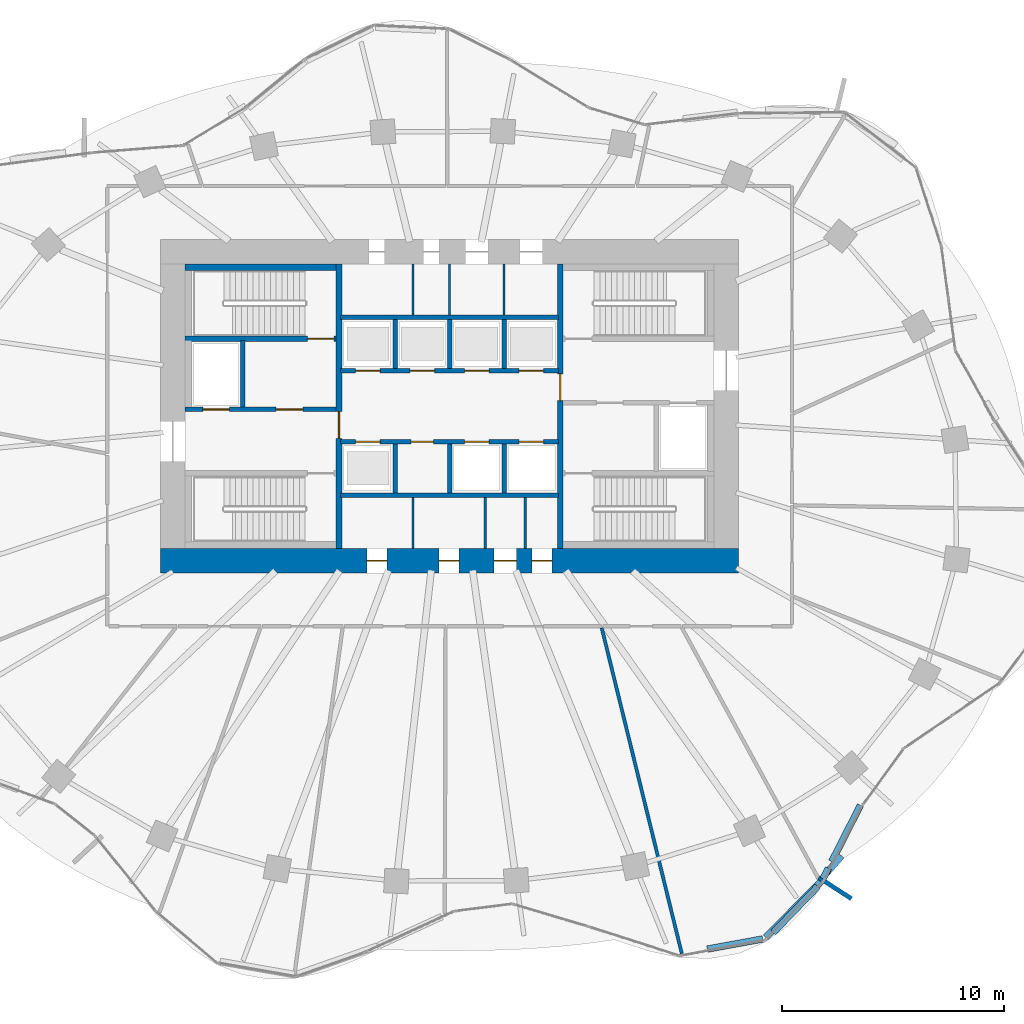
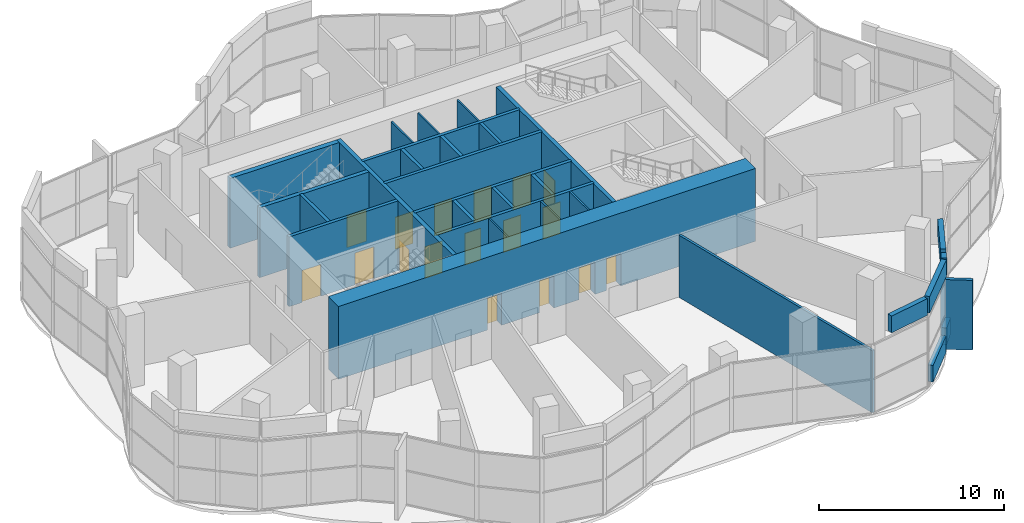
# One storey, part 12 of 16: 31 walls, 17 doors, 17 openings.
"""IFC4 building model written with IfcOpenShell, lengths in metres."""

from ifc_helpers import new_model, si_unit, direction, frame, frame_2d, origin, place, context, subcontext, project, spatial, rectangle, extrude, material, layer, layer_set, type_object, element, fill, save


model = new_model("IFC4")

# Units and contexts
model_context = context("Model", 3, precision=1e-05, world=origin(), true_north=direction((0.0, 1.0)))
body_context = subcontext(model_context, "Body", "Model", "MODEL_VIEW")
ifc_project = project(units=[si_unit("LENGTHUNIT", "METRE"), si_unit("AREAUNIT", "SQUARE_METRE"), si_unit("VOLUMEUNIT", "CUBIC_METRE"), si_unit("PLANEANGLEUNIT", "RADIAN"), si_unit("MASSUNIT", "GRAM", prefix="KILO")], contexts=[model_context])

# Site, building, storey
site_placement = place(None, origin())
site = spatial("IfcSite", under=ifc_project, at=site_placement, CompositionType="ELEMENT")
building_placement = place(site_placement, origin())
building = spatial("IfcBuilding", under=site, at=building_placement, Name="Rubra Terraces Tower", CompositionType="ELEMENT")
storey_placement = place(building_placement, frame((0.0, 0.0, 125.699951171875)))
storey = spatial("IfcBuildingStorey", under=building, at=storey_placement, Name="L30", CompositionType="ELEMENT", Elevation=125.699951171875)

# Walls
ifc_material_1 = material(Name="Brick masonry red-brown", Category="masonry")
ifc_layer_1 = layer(ifc_material_1, 0.300048828125)
ifc_layer_set_1 = layer_set([ifc_layer_1], Name="Brick masonry red-brown")
wall_type_1 = type_object("IfcWallType", Name="Brick edge guard 300", PredefinedType="PARAPET", material=ifc_layer_set_1)
wall_1_placement = place(storey_placement, frame((17.62841796875, -15.731689453125, 0.0), z_axis=(0.0, 0.0, 1.0), x_axis=(-0.659348002782, -0.751837888928, 0.0)))
element("IfcWall", 1, at=wall_1_placement, inside=storey, type_object=wall_type_1, Name="Edge guard L30.1", PredefinedType="PARAPET", context=body_context, shape_type="SweptSolid", body=[
    extrude(rectangle(XDim=1.024169921875, YDim=0.300048828125, at=frame_2d((0.51220703125, 0.0))), origin(), (0.0, 0.0, 1.0), 1.10009765625),
])
wall_2_placement = place(storey_placement, frame((16.55712890625, -17.10302734375, 0.0), z_axis=(0.0, 0.0, 1.0), x_axis=(-0.69490652875, -0.719100073912, 0.0)))
element("IfcWall", 2, at=wall_2_placement, inside=storey, type_object=wall_type_1, Name="Edge guard L30.2", PredefinedType="PARAPET", context=body_context, shape_type="SweptSolid", body=[
    extrude(rectangle(XDim=2.8759765625, YDim=0.300048828125, at=frame_2d((1.43798828125, 0.0))), origin(), (0.0, 0.0, 1.0), 1.10009765625),
])
ifc_layer_2 = layer(ifc_material_1, 0.300048828125)
ifc_layer_set_2 = layer_set([ifc_layer_2], Name="Brick masonry red-brown")
wall_type_2 = type_object("IfcWallType", Name="Brick parapet 300", PredefinedType="PARAPET", material=ifc_layer_set_2)
wall_3_placement = place(storey_placement, frame((11.586669921875, -19.923095703125, 4.800048828125), z_axis=(0.0, 0.0, 1.0), x_axis=(0.983652285329, 0.180078265118, 0.0)))
element("IfcWall", 3, at=wall_3_placement, inside=storey, type_object=wall_type_2, Name="Parapet L30 bay 34", PredefinedType="PARAPET", context=body_context, shape_type="SweptSolid", body=[
    extrude(rectangle(XDim=2.539306640625, YDim=0.300048828125, at=frame_2d((1.26953125, 0.0))), origin(), (0.0, 0.0, 1.0), 1.10009765625),
])
wall_4_placement = place(storey_placement, frame((14.21484375, -19.39697265625, 4.800048828125), z_axis=(0.0, 0.0, 1.0), x_axis=(0.702463448063, 0.711719821373, 0.0)))
element("IfcWall", 4, at=wall_4_placement, inside=storey, type_object=wall_type_2, Name="Parapet L30 bay 35", PredefinedType="PARAPET", context=body_context, shape_type="SweptSolid", body=[
    extrude(rectangle(XDim=3.587158203125, YDim=0.300048828125, at=frame_2d((1.79345703125, 0.0))), origin(), (0.0, 0.0, 1.0), 1.10009765625),
])
wall_5_placement = place(storey_placement, frame((16.796142578125, -16.758544921875, 4.800048828125), z_axis=(0.0, 0.0, 1.0), x_axis=(0.453387528551, 0.89131349645, 0.0)))
element("IfcWall", 5, at=wall_5_placement, inside=storey, type_object=wall_type_2, Name="Parapet L30 bay 36", PredefinedType="PARAPET", context=body_context, shape_type="SweptSolid", body=[
    extrude(rectangle(XDim=0.536865234375, YDim=0.300048828125, at=frame_2d((0.2685546875, 0.0))), origin(), (0.0, 0.0, 1.0), 1.10009765625),
])
wall_6_placement = place(storey_placement, frame((17.18896484375, -15.986083984375, 4.800048828125), z_axis=(0.0, 0.0, 1.0), x_axis=(0.453374811941, 0.891319964938, 0.0)))
element("IfcWall", 6, at=wall_6_placement, inside=storey, type_object=wall_type_2, Name="Parapet L30 bay 36.2", PredefinedType="PARAPET", context=body_context, shape_type="SweptSolid", body=[
    extrude(rectangle(XDim=2.84814453125, YDim=0.300048828125, at=frame_2d((1.424072265625, 0.0))), origin(), (0.0, 0.0, 1.0), 1.10009765625),
])
ifc_layer_3 = layer(ifc_material_1, 0.199951171875)
ifc_layer_set_3 = layer_set([ifc_layer_3], Name="Brick masonry red-brown")
wall_type_3 = type_object("IfcWallType", Name="Brick wind fin 200", PredefinedType="SOLIDWALL", material=ifc_layer_set_3)
wall_7_placement = place(storey_placement, frame((16.60205078125, -16.702880859375, 0.0), z_axis=(0.0, 0.0, 1.0), x_axis=(0.8390232549, -0.54409555938, 0.0)))
element("IfcWall", 7, at=wall_7_placement, inside=storey, type_object=wall_type_3, Name="Wind fin L30 18", PredefinedType="SOLIDWALL", context=body_context, shape_type="SweptSolid", body=[
    extrude(rectangle(XDim=1.75, YDim=0.199951171875, at=frame_2d((0.875, 0.0))), origin(), (0.0, 0.0, 1.0), 4.60009765625),
])

# Wall, openings, doors
ifc_material_2 = material(Name="Concrete C60", Category="concrete")
ifc_layer_4 = layer(ifc_material_2, 1.10009765625)
ifc_layer_set_4 = layer_set([ifc_layer_4], Name="Concrete C60")
wall_type_4 = type_object("IfcWallType", Name="CORE WALL 1100 C60", PredefinedType="SHEAR", material=ifc_layer_set_4)
wall_8_placement = place(storey_placement, frame((-13.0, -2.449951171875, 0.0), z_axis=(0.0, 0.0, 1.0), x_axis=(1.0, 0.0, 0.0)))
wall_8 = element("IfcWall", 8, at=wall_8_placement, inside=storey, type_object=wall_type_4, Name="CORE WALL S L30", PredefinedType="SHEAR", context=body_context, shape_type="SweptSolid", body=[
    extrude(rectangle(XDim=26.0, YDim=1.10009765625, at=frame_2d((13.0, 0.0))), origin(), (0.0, 0.0, 1.0), 4.800048828125),
])
opening_1_placement = place(wall_8_placement, frame((9.27490234375, 0.0, 0.0)))
opening_1 = element("IfcOpeningElement", 9, at=opening_1_placement, cuts=wall_8, Name="Opening L30.C21", PredefinedType="OPENING", context=body_context, shape_type="SweptSolid", body=[
    extrude(rectangle(XDim=0.89990234375, YDim=2.10009765625, at=frame_2d((0.449951171875, 1.050048828125))), frame((0.0, 0.56005859375, 0.0), z_axis=(0.0, -1.0, 0.0), x_axis=(1.0, 0.0, 0.0)), (0.0, 0.0, 1.0), 1.1201171875),
])
opening_2_placement = place(wall_8_placement, frame((12.52490234375, 0.0, 0.0)))
opening_2 = element("IfcOpeningElement", 10, at=opening_2_placement, cuts=wall_8, Name="Opening L30.C22", PredefinedType="OPENING", context=body_context, shape_type="SweptSolid", body=[
    extrude(rectangle(XDim=0.89990234375, YDim=2.10009765625, at=frame_2d((0.449951171875, 1.050048828125))), frame((0.0, 0.56005859375, 0.0), z_axis=(0.0, -1.0, 0.0), x_axis=(1.0, 0.0, 0.0)), (0.0, 0.0, 1.0), 1.1201171875),
])
opening_3_placement = place(wall_8_placement, frame((15.0, 0.0, 0.0)))
opening_3 = element("IfcOpeningElement", 11, at=opening_3_placement, cuts=wall_8, Name="Opening L30.C23", PredefinedType="OPENING", context=body_context, shape_type="SweptSolid", body=[
    extrude(rectangle(XDim=1.0, YDim=2.10009765625, at=frame_2d((0.5, 1.050048828125))), frame((0.0, 0.56005859375, 0.0), z_axis=(0.0, -1.0, 0.0), x_axis=(1.0, 0.0, 0.0)), (0.0, 0.0, 1.0), 1.1201171875),
])
opening_4_placement = place(wall_8_placement, frame((16.699951171875, 0.0, 0.0)))
opening_4 = element("IfcOpeningElement", 12, at=opening_4_placement, cuts=wall_8, Name="Opening L30.C24", PredefinedType="OPENING", context=body_context, shape_type="SweptSolid", body=[
    extrude(rectangle(XDim=0.89990234375, YDim=2.10009765625, at=frame_2d((0.449951171875, 1.050048828125))), frame((0.0, 0.56005859375, 0.0), z_axis=(0.0, -1.0, 0.0), x_axis=(1.0, 0.0, 0.0)), (0.0, 0.0, 1.0), 1.1201171875),
])
ifc_material_3 = material(Name="Painted steel", Category="steel")
door_type_1 = type_object("IfcDoorType", Name="Fire door 1000x2100 single", OperationType="NOTDEFINED", PredefinedType="DOOR", material=ifc_material_3)
door_1_placement = place(opening_3_placement, origin())
door_1 = element("IfcDoor", 13, at=door_1_placement, inside=storey, type_object=door_type_1, Name="Accessible WC door", OperationType="SINGLE_SWING_LEFT", OverallHeight=2.10009765625, OverallWidth=1.0, PredefinedType="DOOR", context=body_context, shape_type="SweptSolid", body=[
    extrude(rectangle(XDim=1.0, YDim=2.10009765625, at=frame_2d((0.5, 1.050048828125))), frame((0.0, 0.02490234375, 0.0), z_axis=(0.0, -1.0, 0.0), x_axis=(1.0, 0.0, 0.0)), (0.0, 0.0, 1.0), 0.050048828125),
])
fill(opening_3, door_1)
door_type_2 = type_object("IfcDoorType", Name="Fire door 900x2100 single", OperationType="NOTDEFINED", PredefinedType="DOOR", material=ifc_material_3)
door_2_placement = place(opening_1_placement, origin())
door_2 = element("IfcDoor", 14, at=door_2_placement, inside=storey, type_object=door_type_2, Name="Ladies WC door", OperationType="SINGLE_SWING_LEFT", OverallHeight=2.10009765625, OverallWidth=0.89990234375, PredefinedType="DOOR", context=body_context, shape_type="SweptSolid", body=[
    extrude(rectangle(XDim=0.89990234375, YDim=2.10009765625, at=frame_2d((0.449951171875, 1.050048828125))), frame((0.0, 0.02490234375, 0.0), z_axis=(0.0, -1.0, 0.0), x_axis=(1.0, 0.0, 0.0)), (0.0, 0.0, 1.0), 0.050048828125),
])
fill(opening_1, door_2)
door_3_placement = place(opening_2_placement, origin())
door_3 = element("IfcDoor", 15, at=door_3_placement, inside=storey, type_object=door_type_2, Name="Gents WC door", OperationType="SINGLE_SWING_RIGHT", OverallHeight=2.10009765625, OverallWidth=0.89990234375, PredefinedType="DOOR", context=body_context, shape_type="SweptSolid", body=[
    extrude(rectangle(XDim=0.89990234375, YDim=2.10009765625, at=frame_2d((0.449951171875, 1.050048828125))), frame((0.0, 0.02490234375, 0.0), z_axis=(0.0, -1.0, 0.0), x_axis=(1.0, 0.0, 0.0)), (0.0, 0.0, 1.0), 0.050048828125),
])
fill(opening_2, door_3)
door_4_placement = place(opening_4_placement, origin())
door_4 = element("IfcDoor", 16, at=door_4_placement, inside=storey, type_object=door_type_2, Name="Cleaner's store door", OperationType="SINGLE_SWING_RIGHT", OverallHeight=2.10009765625, OverallWidth=0.89990234375, PredefinedType="DOOR", context=body_context, shape_type="SweptSolid", body=[
    extrude(rectangle(XDim=0.89990234375, YDim=2.10009765625, at=frame_2d((0.449951171875, 1.050048828125))), frame((0.0, 0.02490234375, 0.0), z_axis=(0.0, -1.0, 0.0), x_axis=(1.0, 0.0, 0.0)), (0.0, 0.0, 1.0), 0.050048828125),
])
fill(opening_4, door_4)

# Wall
ifc_material_4 = material(Name="Concrete C40", Category="concrete")
ifc_layer_5 = layer(ifc_material_4, 0.300048828125)
ifc_layer_set_5 = layer_set([ifc_layer_5], Name="Concrete C40")
wall_type_5 = type_object("IfcWallType", Name="Core lining wall 300 concrete", PredefinedType="SOLIDWALL", material=ifc_layer_set_5)
wall_9_placement = place(storey_placement, frame((-11.89990234375, 10.75, 0.0), z_axis=(0.0, 0.0, 1.0), x_axis=(1.0, 0.0, 0.0)))
element("IfcWall", 17, at=wall_9_placement, inside=storey, type_object=wall_type_5, Name="CORE LINING WALL L30", PredefinedType="SOLIDWALL", context=body_context, shape_type="SweptSolid", body=[
    extrude(rectangle(XDim=6.7998046875, YDim=0.300048828125, at=frame_2d((3.39990234375, 0.0))), origin(), (0.0, 0.0, 1.0), 4.60009765625),
])

# Wall, openings, doors
ifc_material_5 = material(Name="Concrete C30", Category="concrete")
ifc_layer_6 = layer(ifc_material_5, 0.199951171875)
ifc_layer_set_6 = layer_set([ifc_layer_6], Name="Concrete C30")
wall_type_6 = type_object("IfcWallType", Name="Core wall 200 concrete", PredefinedType="SOLIDWALL", material=ifc_layer_set_6)
wall_10_placement = place(storey_placement, frame((-11.89990234375, 4.35009765625, 0.0), z_axis=(0.0, 0.0, 1.0), x_axis=(1.0, 0.0, 0.0)))
wall_10 = element("IfcWall", 18, at=wall_10_placement, inside=storey, type_object=wall_type_6, Name="STAIR WALL L30", PredefinedType="SOLIDWALL", context=body_context, shape_type="SweptSolid", body=[
    extrude(rectangle(XDim=6.7998046875, YDim=0.199951171875, at=frame_2d((3.39990234375, 0.0))), origin(), (0.0, 0.0, 1.0), 4.60009765625),
])
opening_5_placement = place(wall_10_placement, frame((4.10009765625, 0.0, 0.0)))
opening_5 = element("IfcOpeningElement", 19, at=opening_5_placement, cuts=wall_10, Name="Opening L30.C05", PredefinedType="OPENING", context=body_context, shape_type="SweptSolid", body=[
    extrude(rectangle(XDim=1.199951171875, YDim=2.10009765625, at=frame_2d((0.60009765625, 1.050048828125))), frame((0.0, 0.10986328125, 0.0), z_axis=(0.0, -1.0, 0.0), x_axis=(1.0, 0.0, 0.0)), (0.0, 0.0, 1.0), 0.219970703125),
])
opening_6_placement = place(wall_10_placement, frame((0.800048828125, 0.0, 0.0)))
opening_6 = element("IfcOpeningElement", 20, at=opening_6_placement, cuts=wall_10, Name="Opening L30.C11", PredefinedType="OPENING", context=body_context, shape_type="SweptSolid", body=[
    extrude(rectangle(XDim=1.199951171875, YDim=2.10009765625, at=frame_2d((0.60009765625, 1.050048828125))), frame((0.0, 0.10986328125, 0.0), z_axis=(0.0, -1.0, 0.0), x_axis=(1.0, 0.0, 0.0)), (0.0, 0.0, 1.0), 0.219970703125),
])
door_type_3 = type_object("IfcDoorType", Name="Fire door 1200x2100 single", OperationType="NOTDEFINED", PredefinedType="DOOR", material=ifc_material_3)
door_5_placement = place(opening_5_placement, origin())
door_5 = element("IfcDoor", 21, at=door_5_placement, inside=storey, type_object=door_type_3, Name="Stair vestibule door S2", OperationType="SINGLE_SWING_LEFT", OverallHeight=2.10009765625, OverallWidth=1.199951171875, PredefinedType="DOOR", context=body_context, shape_type="SweptSolid", body=[
    extrude(rectangle(XDim=1.199951171875, YDim=2.10009765625, at=frame_2d((0.60009765625, 1.050048828125))), frame((0.0, 0.02490234375, 0.0), z_axis=(0.0, -1.0, 0.0), x_axis=(1.0, 0.0, 0.0)), (0.0, 0.0, 1.0), 0.050048828125),
])
fill(opening_5, door_5)
ifc_material_6 = material(Name="Stainless steel", Category="steel")
door_type_4 = type_object("IfcDoorType", Name="Lift landing door 1200x2100", OperationType="NOTDEFINED", PredefinedType="DOOR", material=ifc_material_6)
door_6_placement = place(opening_6_placement, origin())
door_6 = element("IfcDoor", 22, at=door_6_placement, inside=storey, type_object=door_type_4, Name="Landing door FF1", OperationType="SLIDING_TO_RIGHT", OverallHeight=2.10009765625, OverallWidth=1.199951171875, PredefinedType="DOOR", context=body_context, shape_type="SweptSolid", body=[
    extrude(rectangle(XDim=1.199951171875, YDim=2.10009765625, at=frame_2d((0.60009765625, 1.050048828125))), frame((0.0, 0.02490234375, 0.0), z_axis=(0.0, -1.0, 0.0), x_axis=(1.0, 0.0, 0.0)), (0.0, 0.0, 1.0), 0.050048828125),
])
fill(opening_6, door_6)

# Walls
wall_11_placement = place(storey_placement, frame((-9.300048828125, 4.449951171875, 0.0), z_axis=(0.0, 0.0, 1.0), x_axis=(0.0, 1.0, 0.0)))
element("IfcWall", 23, at=wall_11_placement, inside=storey, type_object=wall_type_6, Name="STAIR WALL L30", PredefinedType="SOLIDWALL", context=body_context, shape_type="SweptSolid", body=[
    extrude(rectangle(XDim=3.0, YDim=0.199951171875, at=frame_2d((1.5, 0.0))), origin(), (0.0, 0.0, 1.0), 4.60009765625),
])
wall_12_placement = place(storey_placement, frame((-4.89990234375, 0.5, 0.0), z_axis=(0.0, 0.0, 1.0), x_axis=(1.0, 0.0, 0.0)))
element("IfcWall", 24, at=wall_12_placement, inside=storey, type_object=wall_type_6, Name="LIFT SHAFT WALL L30", PredefinedType="SOLIDWALL", context=body_context, shape_type="SweptSolid", body=[
    extrude(rectangle(XDim=9.7998046875, YDim=0.199951171875, at=frame_2d((4.89990234375, 0.0))), origin(), (0.0, 0.0, 1.0), 4.60009765625),
])

# Wall, openings, doors
wall_13_placement = place(storey_placement, frame((-4.89990234375, 2.89990234375, 0.0), z_axis=(0.0, 0.0, 1.0), x_axis=(1.0, 0.0, 0.0)))
wall_13 = element("IfcWall", 25, at=wall_13_placement, inside=storey, type_object=wall_type_6, Name="LIFT SHAFT WALL L30", PredefinedType="SOLIDWALL", context=body_context, shape_type="SweptSolid", body=[
    extrude(rectangle(XDim=9.7998046875, YDim=0.199951171875, at=frame_2d((4.89990234375, 0.0))), origin(), (0.0, 0.0, 1.0), 4.60009765625),
])
opening_7_placement = place(wall_13_placement, frame((0.675048828125, 0.0, 0.0)))
opening_7 = element("IfcOpeningElement", 26, at=opening_7_placement, cuts=wall_13, Name="Opening L30.C13", PredefinedType="OPENING", context=body_context, shape_type="SweptSolid", body=[
    extrude(rectangle(XDim=1.10009765625, YDim=2.10009765625, at=frame_2d((0.550048828125, 1.050048828125))), frame((0.0, 0.10986328125, 0.0), z_axis=(0.0, -1.0, 0.0), x_axis=(1.0, 0.0, 0.0)), (0.0, 0.0, 1.0), 0.219970703125),
])
opening_8_placement = place(wall_13_placement, frame((3.175048828125, 0.0, 0.0)))
opening_8 = element("IfcOpeningElement", 27, at=opening_8_placement, cuts=wall_13, Name="Opening L30.C14", PredefinedType="OPENING", context=body_context, shape_type="SweptSolid", body=[
    extrude(rectangle(XDim=1.0, YDim=2.10009765625, at=frame_2d((0.5, 1.050048828125))), frame((0.0, 0.10986328125, 0.0), z_axis=(0.0, -1.0, 0.0), x_axis=(1.0, 0.0, 0.0)), (0.0, 0.0, 1.0), 0.219970703125),
])
opening_9_placement = place(wall_13_placement, frame((5.574951171875, 0.0, 0.0)))
opening_9 = element("IfcOpeningElement", 28, at=opening_9_placement, cuts=wall_13, Name="Opening L30.C15", PredefinedType="OPENING", context=body_context, shape_type="SweptSolid", body=[
    extrude(rectangle(XDim=1.10009765625, YDim=2.10009765625, at=frame_2d((0.550048828125, 1.050048828125))), frame((0.0, 0.10986328125, 0.0), z_axis=(0.0, -1.0, 0.0), x_axis=(1.0, 0.0, 0.0)), (0.0, 0.0, 1.0), 0.219970703125),
])
opening_10_placement = place(wall_13_placement, frame((8.02490234375, 0.0, 0.0)))
opening_10 = element("IfcOpeningElement", 29, at=opening_10_placement, cuts=wall_13, Name="Opening L30.C16", PredefinedType="OPENING", context=body_context, shape_type="SweptSolid", body=[
    extrude(rectangle(XDim=1.10009765625, YDim=2.10009765625, at=frame_2d((0.550048828125, 1.050048828125))), frame((0.0, 0.10986328125, 0.0), z_axis=(0.0, -1.0, 0.0), x_axis=(1.0, 0.0, 0.0)), (0.0, 0.0, 1.0), 0.219970703125),
])
door_7_placement = place(opening_8_placement, origin())
door_7 = element("IfcDoor", 30, at=door_7_placement, inside=storey, type_object=door_type_1, Name="Lift motor room door", OperationType="SINGLE_SWING_RIGHT", OverallHeight=2.10009765625, OverallWidth=1.0, PredefinedType="DOOR", context=body_context, shape_type="SweptSolid", body=[
    extrude(rectangle(XDim=1.0, YDim=2.10009765625, at=frame_2d((0.5, 1.050048828125))), frame((0.0, 0.02490234375, 0.0), z_axis=(0.0, -1.0, 0.0), x_axis=(1.0, 0.0, 0.0)), (0.0, 0.0, 1.0), 0.050048828125),
])
fill(opening_8, door_7)
door_type_5 = type_object("IfcDoorType", Name="Lift landing door 1100x2100", OperationType="NOTDEFINED", PredefinedType="DOOR", material=ifc_material_6)
door_8_placement = place(opening_7_placement, origin())
door_8 = element("IfcDoor", 31, at=door_8_placement, inside=storey, type_object=door_type_5, Name="Landing door HB1", OperationType="SLIDING_TO_RIGHT", OverallHeight=2.10009765625, OverallWidth=1.10009765625, PredefinedType="DOOR", context=body_context, shape_type="SweptSolid", body=[
    extrude(rectangle(XDim=1.10009765625, YDim=2.10009765625, at=frame_2d((0.550048828125, 1.050048828125))), frame((0.0, 0.02490234375, 0.0), z_axis=(0.0, -1.0, 0.0), x_axis=(1.0, 0.0, 0.0)), (0.0, 0.0, 1.0), 0.050048828125),
])
fill(opening_7, door_8)
door_9_placement = place(opening_9_placement, origin())
door_9 = element("IfcDoor", 32, at=door_9_placement, inside=storey, type_object=door_type_5, Name="Landing door SH1", OperationType="SLIDING_TO_LEFT", OverallHeight=2.10009765625, OverallWidth=1.10009765625, PredefinedType="DOOR", context=body_context, shape_type="SweptSolid", body=[
    extrude(rectangle(XDim=1.10009765625, YDim=2.10009765625, at=frame_2d((0.550048828125, 1.050048828125))), frame((0.0, 0.02490234375, 0.0), z_axis=(0.0, -1.0, 0.0), x_axis=(1.0, 0.0, 0.0)), (0.0, 0.0, 1.0), 0.050048828125),
])
fill(opening_9, door_9)
door_10_placement = place(opening_10_placement, origin())
door_10 = element("IfcDoor", 33, at=door_10_placement, inside=storey, type_object=door_type_5, Name="Landing door SH2", OperationType="SLIDING_TO_RIGHT", OverallHeight=2.10009765625, OverallWidth=1.10009765625, PredefinedType="DOOR", context=body_context, shape_type="SweptSolid", body=[
    extrude(rectangle(XDim=1.10009765625, YDim=2.10009765625, at=frame_2d((0.550048828125, 1.050048828125))), frame((0.0, 0.02490234375, 0.0), z_axis=(0.0, -1.0, 0.0), x_axis=(1.0, 0.0, 0.0)), (0.0, 0.0, 1.0), 0.050048828125),
])
fill(opening_10, door_10)

wall_14_placement = place(storey_placement, frame((-4.89990234375, 6.10009765625, 0.0), z_axis=(0.0, 0.0, 1.0), x_axis=(1.0, 0.0, 0.0)))
wall_14 = element("IfcWall", 34, at=wall_14_placement, inside=storey, type_object=wall_type_6, Name="LIFT SHAFT WALL L30", PredefinedType="SOLIDWALL", context=body_context, shape_type="SweptSolid", body=[
    extrude(rectangle(XDim=9.7998046875, YDim=0.199951171875, at=frame_2d((4.89990234375, 0.0))), origin(), (0.0, 0.0, 1.0), 4.60009765625),
])
opening_11_placement = place(wall_14_placement, frame((0.675048828125, 0.0, 0.0)))
opening_11 = element("IfcOpeningElement", 35, at=opening_11_placement, cuts=wall_14, Name="Opening L30.C17", PredefinedType="OPENING", context=body_context, shape_type="SweptSolid", body=[
    extrude(rectangle(XDim=1.10009765625, YDim=2.10009765625, at=frame_2d((0.550048828125, 1.050048828125))), frame((0.0, 0.10986328125, 0.0), z_axis=(0.0, -1.0, 0.0), x_axis=(1.0, 0.0, 0.0)), (0.0, 0.0, 1.0), 0.219970703125),
])
opening_12_placement = place(wall_14_placement, frame((3.125, 0.0, 0.0)))
opening_12 = element("IfcOpeningElement", 36, at=opening_12_placement, cuts=wall_14, Name="Opening L30.C18", PredefinedType="OPENING", context=body_context, shape_type="SweptSolid", body=[
    extrude(rectangle(XDim=1.10009765625, YDim=2.10009765625, at=frame_2d((0.550048828125, 1.050048828125))), frame((0.0, 0.10986328125, 0.0), z_axis=(0.0, -1.0, 0.0), x_axis=(1.0, 0.0, 0.0)), (0.0, 0.0, 1.0), 0.219970703125),
])
opening_13_placement = place(wall_14_placement, frame((5.574951171875, 0.0, 0.0)))
opening_13 = element("IfcOpeningElement", 37, at=opening_13_placement, cuts=wall_14, Name="Opening L30.C19", PredefinedType="OPENING", context=body_context, shape_type="SweptSolid", body=[
    extrude(rectangle(XDim=1.10009765625, YDim=2.10009765625, at=frame_2d((0.550048828125, 1.050048828125))), frame((0.0, 0.10986328125, 0.0), z_axis=(0.0, -1.0, 0.0), x_axis=(1.0, 0.0, 0.0)), (0.0, 0.0, 1.0), 0.219970703125),
])
opening_14_placement = place(wall_14_placement, frame((8.02490234375, 0.0, 0.0)))
opening_14 = element("IfcOpeningElement", 38, at=opening_14_placement, cuts=wall_14, Name="Opening L30.C20", PredefinedType="OPENING", context=body_context, shape_type="SweptSolid", body=[
    extrude(rectangle(XDim=1.10009765625, YDim=2.10009765625, at=frame_2d((0.550048828125, 1.050048828125))), frame((0.0, 0.10986328125, 0.0), z_axis=(0.0, -1.0, 0.0), x_axis=(1.0, 0.0, 0.0)), (0.0, 0.0, 1.0), 0.219970703125),
])
door_11_placement = place(opening_11_placement, origin())
door_11 = element("IfcDoor", 39, at=door_11_placement, inside=storey, type_object=door_type_5, Name="Landing door HB3", OperationType="SLIDING_TO_RIGHT", OverallHeight=2.10009765625, OverallWidth=1.10009765625, PredefinedType="DOOR", context=body_context, shape_type="SweptSolid", body=[
    extrude(rectangle(XDim=1.10009765625, YDim=2.10009765625, at=frame_2d((0.550048828125, 1.050048828125))), frame((0.0, 0.02490234375, 0.0), z_axis=(0.0, -1.0, 0.0), x_axis=(1.0, 0.0, 0.0)), (0.0, 0.0, 1.0), 0.050048828125),
])
fill(opening_11, door_11)
door_12_placement = place(opening_12_placement, origin())
door_12 = element("IfcDoor", 40, at=door_12_placement, inside=storey, type_object=door_type_5, Name="Landing door HB4", OperationType="SLIDING_TO_LEFT", OverallHeight=2.10009765625, OverallWidth=1.10009765625, PredefinedType="DOOR", context=body_context, shape_type="SweptSolid", body=[
    extrude(rectangle(XDim=1.10009765625, YDim=2.10009765625, at=frame_2d((0.550048828125, 1.050048828125))), frame((0.0, 0.02490234375, 0.0), z_axis=(0.0, -1.0, 0.0), x_axis=(1.0, 0.0, 0.0)), (0.0, 0.0, 1.0), 0.050048828125),
])
fill(opening_12, door_12)
door_13_placement = place(opening_13_placement, origin())
door_13 = element("IfcDoor", 41, at=door_13_placement, inside=storey, type_object=door_type_5, Name="Landing door HB5", OperationType="SLIDING_TO_RIGHT", OverallHeight=2.10009765625, OverallWidth=1.10009765625, PredefinedType="DOOR", context=body_context, shape_type="SweptSolid", body=[
    extrude(rectangle(XDim=1.10009765625, YDim=2.10009765625, at=frame_2d((0.550048828125, 1.050048828125))), frame((0.0, 0.02490234375, 0.0), z_axis=(0.0, -1.0, 0.0), x_axis=(1.0, 0.0, 0.0)), (0.0, 0.0, 1.0), 0.050048828125),
])
fill(opening_13, door_13)
door_14_placement = place(opening_14_placement, origin())
door_14 = element("IfcDoor", 42, at=door_14_placement, inside=storey, type_object=door_type_5, Name="Landing door HB6", OperationType="SLIDING_TO_LEFT", OverallHeight=2.10009765625, OverallWidth=1.10009765625, PredefinedType="DOOR", context=body_context, shape_type="SweptSolid", body=[
    extrude(rectangle(XDim=1.10009765625, YDim=2.10009765625, at=frame_2d((0.550048828125, 1.050048828125))), frame((0.0, 0.02490234375, 0.0), z_axis=(0.0, -1.0, 0.0), x_axis=(1.0, 0.0, 0.0)), (0.0, 0.0, 1.0), 0.050048828125),
])
fill(opening_14, door_14)

# Walls
wall_15_placement = place(storey_placement, frame((-4.89990234375, 8.5, 0.0), z_axis=(0.0, 0.0, 1.0), x_axis=(1.0, 0.0, 0.0)))
element("IfcWall", 43, at=wall_15_placement, inside=storey, type_object=wall_type_6, Name="LIFT SHAFT WALL L30", PredefinedType="SOLIDWALL", context=body_context, shape_type="SweptSolid", body=[
    extrude(rectangle(XDim=9.7998046875, YDim=0.199951171875, at=frame_2d((4.89990234375, 0.0))), origin(), (0.0, 0.0, 1.0), 4.60009765625),
])
for number, where, z_axis, x_axis, name in (
    (44, (-2.449951171875, 0.60009765625, 0.0), (0.0, 0.0, 1.0), (0.0, 1.0, 0.0), "LIFT SHAFT WALL L30"),
    (45, (0.0, 0.60009765625, 0.0), (0.0, 0.0, 1.0), (0.0, 1.0, 0.0), "LIFT SHAFT WALL L30"),
    (46, (2.449951171875, 0.60009765625, 0.0), (0.0, 0.0, 1.0), (0.0, 1.0, 0.0), "LIFT SHAFT WALL L30"),
    (47, (-2.449951171875, 6.199951171875, 0.0), (0.0, 0.0, 1.0), (0.0, 1.0, 0.0), "LIFT SHAFT WALL L30"),
    (48, (0.0, 6.199951171875, 0.0), (0.0, 0.0, 1.0), (0.0, 1.0, 0.0), "LIFT SHAFT WALL L30"),
    (49, (2.449951171875, 6.199951171875, 0.0), (0.0, 0.0, 1.0), (0.0, 1.0, 0.0), "LIFT SHAFT WALL L30"),
):
    element("IfcWall", number, at=place(storey_placement, frame(where, z_axis=z_axis, x_axis=x_axis)), inside=storey, type_object=wall_type_6, Name=name, PredefinedType="SOLIDWALL", context=body_context, shape_type="SweptSolid", body=[
        extrude(rectangle(XDim=2.199951171875, YDim=0.199951171875, at=frame_2d((1.10009765625, 0.0))), origin(), (0.0, 0.0, 1.0), 4.60009765625),
    ])
ifc_material_7 = material(Name="Plasterboard on steel stud", Category="steel")
ifc_layer_7 = layer(ifc_material_7, 0.14990234375)
ifc_layer_set_7 = layer_set([ifc_layer_7], Name="Plasterboard on steel stud")
wall_type_7 = type_object("IfcWallType", Name="ROOM PARTITION 150", PredefinedType="PARTITIONING", material=ifc_layer_set_7)
wall_16_placement = place(storey_placement, frame((10.444091796875, -20.122314453125, 0.0), z_axis=(0.0, 0.0, 1.0), x_axis=(-0.238710564732, 0.971090761096, 0.0)))
element("IfcWall", 50, at=wall_16_placement, inside=storey, type_object=wall_type_7, Name="PARTITION", PredefinedType="PARTITIONING", context=body_context, shape_type="SweptSolid", body=[
    extrude(rectangle(XDim=15.08544921875, YDim=0.14990234375, at=frame_2d((7.542724609375, 0.0))), origin(), (0.0, 0.0, 1.0), 4.09814453125),
])
ifc_material_8 = material(Name="Blockwork", Category="masonry")
ifc_layer_8 = layer(ifc_material_8, 0.10009765625)
ifc_layer_set_8 = layer_set([ifc_layer_8], Name="Blockwork")
wall_type_8 = type_object("IfcWallType", Name="Service partition 100 blockwork", PredefinedType="PARTITIONING", material=ifc_layer_set_8)
for number, where, z_axis, x_axis, name in (
    (51, (-1.64990234375, -1.89990234375, 0.0), (0.0, 0.0, 1.0), (0.0, 1.0, 0.0), "SERVICE ROOM PARTITION L30"),
    (52, (1.60009765625, -1.89990234375, 0.0), (0.0, 0.0, 1.0), (0.0, 1.0, 0.0), "SERVICE ROOM PARTITION L30"),
    (53, (3.39990234375, -1.89990234375, 0.0), (0.0, 0.0, 1.0), (0.0, 1.0, 0.0), "SERVICE ROOM PARTITION L30"),
    (54, (-1.64990234375, 8.60009765625, 0.0), (0.0, 0.0, 1.0), (0.0, 1.0, 0.0), "SERVICE ROOM PARTITION L30"),
    (55, (0.0, 8.60009765625, 0.0), (0.0, 0.0, 1.0), (0.0, 1.0, 0.0), "SERVICE ROOM PARTITION L30"),
    (56, (2.449951171875, 8.60009765625, 0.0), (0.0, 0.0, 1.0), (0.0, 1.0, 0.0), "SERVICE ROOM PARTITION L30"),
):
    element("IfcWall", number, at=place(storey_placement, frame(where, z_axis=z_axis, x_axis=x_axis)), inside=storey, type_object=wall_type_8, Name=name, PredefinedType="PARTITIONING", context=body_context, shape_type="SweptSolid", body=[
        extrude(rectangle(XDim=2.2998046875, YDim=0.10009765625, at=frame_2d((1.14990234375, 0.0))), origin(), (0.0, 0.0, 1.0), 4.60009765625),
    ])

# Wall, opening, door
ifc_layer_9 = layer(ifc_material_4, 0.25)
ifc_layer_set_9 = layer_set([ifc_layer_9], Name="Concrete C40")
wall_type_9 = type_object("IfcWallType", Name="Stair enclosure wall 250 concrete", PredefinedType="SOLIDWALL", material=ifc_layer_set_9)
wall_17_placement = place(storey_placement, frame((-11.89990234375, 7.52490234375, 0.0), z_axis=(0.0, 0.0, 1.0), x_axis=(1.0, 0.0, 0.0)))
wall_17 = element("IfcWall", 57, at=wall_17_placement, inside=storey, type_object=wall_type_9, Name="STAIR WALL L30", PredefinedType="SOLIDWALL", context=body_context, shape_type="SweptSolid", body=[
    extrude(rectangle(XDim=6.7998046875, YDim=0.25, at=frame_2d((3.39990234375, 0.0))), origin(), (0.0, 0.0, 1.0), 4.60009765625),
])
opening_15_placement = place(wall_17_placement, frame((5.5, 0.0, 0.0)))
opening_15 = element("IfcOpeningElement", 58, at=opening_15_placement, cuts=wall_17, Name="Opening L30.C09", PredefinedType="OPENING", context=body_context, shape_type="SweptSolid", body=[
    extrude(rectangle(XDim=1.199951171875, YDim=2.10009765625, at=frame_2d((0.60009765625, 1.050048828125))), frame((0.0, 0.135009765625, 0.0), z_axis=(0.0, -1.0, 0.0), x_axis=(1.0, 0.0, 0.0)), (0.0, 0.0, 1.0), 0.27001953125),
])
door_15_placement = place(opening_15_placement, origin())
door_15 = element("IfcDoor", 59, at=door_15_placement, inside=storey, type_object=door_type_3, Name="Stair door S2", OperationType="SINGLE_SWING_LEFT", OverallHeight=2.10009765625, OverallWidth=1.199951171875, PredefinedType="DOOR", context=body_context, shape_type="SweptSolid", body=[
    extrude(rectangle(XDim=1.199951171875, YDim=2.10009765625, at=frame_2d((0.60009765625, 1.050048828125))), frame((0.0, 0.02490234375, 0.0), z_axis=(0.0, -1.0, 0.0), x_axis=(1.0, 0.0, 0.0)), (0.0, 0.0, 1.0), 0.050048828125),
])
fill(opening_15, door_15)

wall_18_placement = place(storey_placement, frame((-4.97509765625, -1.89990234375, 0.0), z_axis=(0.0, 0.0, 1.0), x_axis=(0.0, 1.0, 0.0)))
wall_18 = element("IfcWall", 60, at=wall_18_placement, inside=storey, type_object=wall_type_9, Name="CORE LOBBY WALL L30", PredefinedType="SOLIDWALL", context=body_context, shape_type="SweptSolid", body=[
    extrude(rectangle(XDim=12.7998046875, YDim=0.25, at=frame_2d((6.39990234375, 0.0))), origin(), (0.0, 0.0, 1.0), 4.60009765625),
])
opening_16_placement = place(wall_18_placement, frame((4.949951171875, 0.0, 0.0)))
opening_16 = element("IfcOpeningElement", 61, at=opening_16_placement, cuts=wall_18, Name="Opening L30.C03", PredefinedType="OPENING", context=body_context, shape_type="SweptSolid", body=[
    extrude(rectangle(XDim=1.199951171875, YDim=2.10009765625, at=frame_2d((0.60009765625, 1.050048828125))), frame((0.0, 0.135009765625, 0.0), z_axis=(0.0, -1.0, 0.0), x_axis=(1.0, 0.0, 0.0)), (0.0, 0.0, 1.0), 0.27001953125),
])
door_16_placement = place(opening_16_placement, origin())
door_16 = element("IfcDoor", 62, at=door_16_placement, inside=storey, type_object=door_type_3, Name="Firefighting lobby door FF1", OperationType="SINGLE_SWING_LEFT", OverallHeight=2.10009765625, OverallWidth=1.199951171875, PredefinedType="DOOR", context=body_context, shape_type="SweptSolid", body=[
    extrude(rectangle(XDim=1.199951171875, YDim=2.10009765625, at=frame_2d((0.60009765625, 1.050048828125))), frame((0.0, 0.02490234375, 0.0), z_axis=(0.0, -1.0, 0.0), x_axis=(1.0, 0.0, 0.0)), (0.0, 0.0, 1.0), 0.050048828125),
])
fill(opening_16, door_16)

wall_19_placement = place(storey_placement, frame((4.97509765625, 10.89990234375, 0.0), z_axis=(0.0, 0.0, 1.0), x_axis=(0.0, -1.0, 0.0)))
wall_19 = element("IfcWall", 63, at=wall_19_placement, inside=storey, type_object=wall_type_9, Name="CORE LOBBY WALL L30", PredefinedType="SOLIDWALL", context=body_context, shape_type="SweptSolid", body=[
    extrude(rectangle(XDim=12.7998046875, YDim=0.25, at=frame_2d((6.39990234375, 0.0))), origin(), (0.0, 0.0, 1.0), 4.60009765625),
])
opening_17_placement = place(wall_19_placement, frame((4.949951171875, 0.0, 0.0)))
opening_17 = element("IfcOpeningElement", 64, at=opening_17_placement, cuts=wall_19, Name="Opening L30.C04", PredefinedType="OPENING", context=body_context, shape_type="SweptSolid", body=[
    extrude(rectangle(XDim=1.199951171875, YDim=2.10009765625, at=frame_2d((0.60009765625, 1.050048828125))), frame((0.0, 0.135009765625, 0.0), z_axis=(0.0, -1.0, 0.0), x_axis=(1.0, 0.0, 0.0)), (0.0, 0.0, 1.0), 0.27001953125),
])
door_17_placement = place(opening_17_placement, origin())
door_17 = element("IfcDoor", 65, at=door_17_placement, inside=storey, type_object=door_type_3, Name="Firefighting lobby door FF2", OperationType="SINGLE_SWING_RIGHT", OverallHeight=2.10009765625, OverallWidth=1.199951171875, PredefinedType="DOOR", context=body_context, shape_type="SweptSolid", body=[
    extrude(rectangle(XDim=1.199951171875, YDim=2.10009765625, at=frame_2d((0.60009765625, 1.050048828125))), frame((0.0, 0.02490234375, 0.0), z_axis=(0.0, -1.0, 0.0), x_axis=(1.0, 0.0, 0.0)), (0.0, 0.0, 1.0), 0.050048828125),
])
fill(opening_17, door_17)

save(model, "model.ifc")
